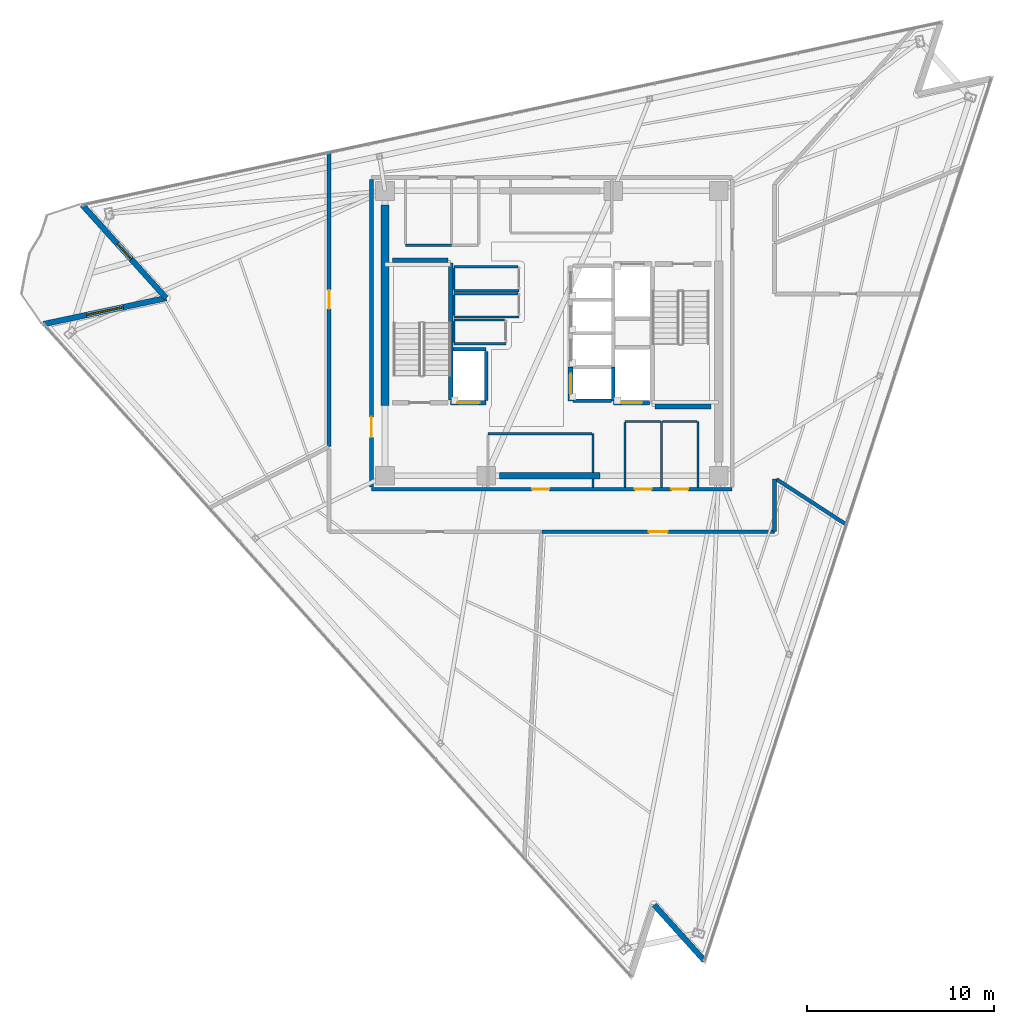
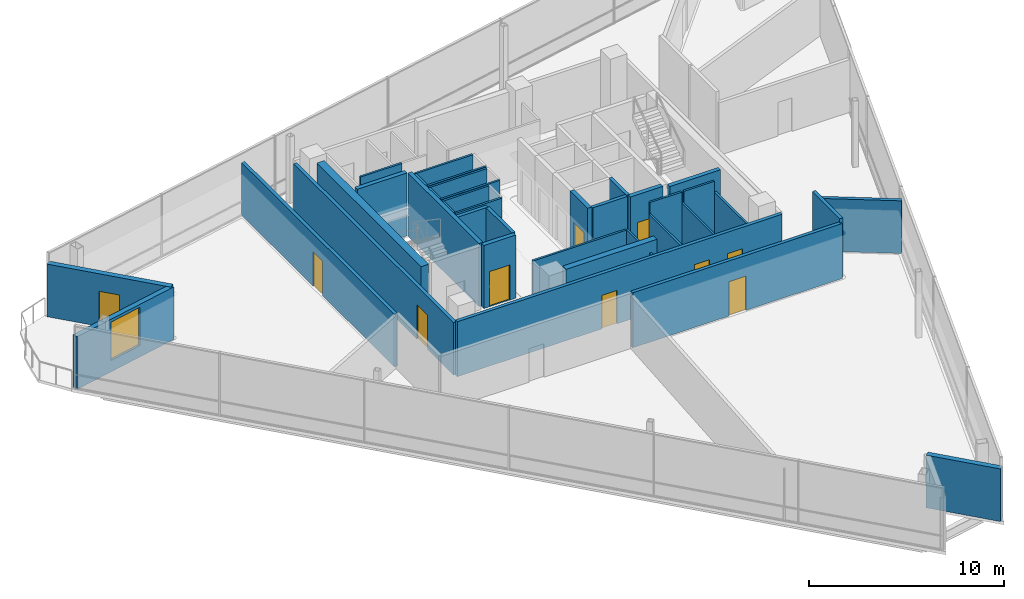
# One storey, part 11 of 17: 39 walls, 10 doors, 1 window, 11 openings.
"""IFC4 building model written with IfcOpenShell, lengths in metres."""

from ifc_helpers import new_model, si_unit, direction, frame, frame_2d, origin, place, context, subcontext, project, spatial, rectangle, extrude, material, layer, layer_set, type_object, element, fill, save


model = new_model("IFC4")

# Units and contexts
model_context = context("Model", 3, precision=1e-05, world=origin(), true_north=direction((0.0, 1.0)))
body_context = subcontext(model_context, "Body", "Model", "MODEL_VIEW")
ifc_project = project(units=[si_unit("LENGTHUNIT", "METRE"), si_unit("AREAUNIT", "SQUARE_METRE"), si_unit("VOLUMEUNIT", "CUBIC_METRE"), si_unit("PLANEANGLEUNIT", "RADIAN"), si_unit("MASSUNIT", "GRAM", prefix="KILO")], contexts=[model_context])

# Site, building, storey
site_placement = place(None, origin())
site = spatial("IfcSite", under=ifc_project, at=site_placement, CompositionType="ELEMENT")
building_placement = place(site_placement, origin())
building = spatial("IfcBuilding", under=site, at=building_placement, Name="Tharavind Bronze Gate", CompositionType="ELEMENT")
storey_placement = place(building_placement, frame((0.0, 0.0, 298.0)))
storey = spatial("IfcBuildingStorey", under=building, at=storey_placement, Name="L77", CompositionType="ELEMENT", Elevation=298.0)

# Wall, opening, door
ifc_material_1 = material(Name="Concrete C40/50", Category="concrete")
ifc_layer_1 = layer(ifc_material_1, 0.300048828125)
ifc_layer_set_1 = layer_set([ifc_layer_1], Name="Concrete C40/50")
wall_type_1 = type_object("IfcWallType", Name="EXTERIOR SPANDREL WALL 300", PredefinedType="STANDARD", material=ifc_layer_set_1)
wall_1_placement = place(storey_placement, frame((-25.041015625, 6.84814453125, 0.0), z_axis=(0.0, 0.0, 1.0), x_axis=(0.669132313306, -0.743143288532, 0.0)))
wall_1 = element("IfcWall", 1, at=wall_1_placement, inside=storey, type_object=wall_type_1, Name="L77 notch cheek wall 1A", PredefinedType="STANDARD", context=body_context, shape_type="SweptSolid", body=[
    extrude(rectangle(XDim=6.679931640625, YDim=0.300048828125, at=frame_2d((3.33984375, 0.0))), origin(), (0.0, 0.0, 1.0), 3.294921875),
])
opening_1_placement = place(wall_1_placement, frame((2.7900390625, 0.0, 0.0)))
opening_1 = element("IfcOpeningElement", 2, at=opening_1_placement, cuts=wall_1, Name="Opening ED04", PredefinedType="OPENING", context=body_context, shape_type="SweptSolid", body=[
    extrude(rectangle(XDim=1.10009765625, YDim=2.199951171875, at=frame_2d((0.550048828125, 1.10009765625))), frame((0.0, 0.15990234375, 0.0), z_axis=(0.0, -1.0, 0.0), x_axis=(1.0, 0.0, 0.0)), (0.0, 0.0, 1.0), 0.320048828125),
])
ifc_material_2 = material(Name="Bronze Aluminium & Toughened Glass", Category="aluminium")
door_type_1 = type_object("IfcDoorType", Name="TREE BALCONY ACCESS DOOR 1100X2200", OperationType="SINGLE_SWING_LEFT", PredefinedType="DOOR", material=ifc_material_2)
door_1_placement = place(opening_1_placement, frame((1.10009765625, 0.0, 0.0), z_axis=(0.0, 0.0, 1.0), x_axis=(-1.0, 0.0, 0.0)))
door_1 = element("IfcDoor", 3, at=door_1_placement, inside=storey, type_object=door_type_1, Name="L77 tree balcony access door", OperationType="SINGLE_SWING_LEFT", OverallHeight=2.199951171875, OverallWidth=1.10009765625, PredefinedType="DOOR", context=body_context, shape_type="SweptSolid", body=[
    extrude(rectangle(XDim=1.10009765625, YDim=2.199951171875, at=frame_2d((0.550048828125, 1.10009765625))), frame((0.0, 0.02490234375, 0.0), z_axis=(0.0, -1.0, 0.0), x_axis=(1.0, 0.0, 0.0)), (0.0, 0.0, 1.0), 0.050048828125),
])
fill(opening_1, door_1)

# Wall, opening, window
wall_2_placement = place(storey_placement, frame((-20.5712890625, 1.884033203125, 0.0), z_axis=(0.0, 0.0, 1.0), x_axis=(-0.978145008547, -0.207923885724, 0.0)))
wall_2 = element("IfcWall", 4, at=wall_2_placement, inside=storey, type_object=wall_type_1, Name="L77 notch cheek wall 1B", PredefinedType="STANDARD", context=body_context, shape_type="SweptSolid", body=[
    extrude(rectangle(XDim=6.679931640625, YDim=0.300048828125, at=frame_2d((3.33984375, 0.0))), origin(), (0.0, 0.0, 1.0), 3.294921875),
])
opening_2_placement = place(wall_2_placement, frame((2.340087890625, 0.0, 0.715087890625)))
opening_2 = element("IfcOpeningElement", 5, at=opening_2_placement, cuts=wall_2, Name="Opening W06", PredefinedType="OPENING", context=body_context, shape_type="SweptSolid", body=[
    extrude(rectangle(XDim=2.0, YDim=2.39990234375, at=frame_2d((1.0, 1.199951171875))), frame((0.0, 0.15990234375, 0.0), z_axis=(0.0, -1.0, 0.0), x_axis=(1.0, 0.0, 0.0)), (0.0, 0.0, 1.0), 0.320048828125),
])
ifc_material_3 = material(Name="Bronze Aluminium & Low-E Glass", Category="aluminium")
window_type = type_object("IfcWindowType", Name="CROWN OBSERVATORY WINDOW 2000X2400", PartitioningType="DOUBLE_PANEL_VERTICAL", PredefinedType="WINDOW", material=ifc_material_3)
window_placement = place(opening_2_placement, origin())
window = element("IfcWindow", 6, at=window_placement, inside=storey, type_object=window_type, Name="L77 exterior window WL-L77-NCB1-01", OverallHeight=2.39990234375, OverallWidth=2.0, PartitioningType="SINGLE_PANEL", PredefinedType="WINDOW", context=body_context, shape_type="SweptSolid", body=[
    extrude(rectangle(XDim=2.0, YDim=2.39990234375, at=frame_2d((1.0, 1.199951171875))), frame((0.0, 0.030029296875, 0.0), z_axis=(0.0, -1.0, 0.0), x_axis=(1.0, 0.0, 0.0)), (0.0, 0.0, 1.0), 0.06005859375),
])
fill(opening_2, window)

# Wall
wall_3_placement = place(storey_placement, frame((5.459228515625, -30.484130859375, 0.0), z_axis=(0.0, 0.0, 1.0), x_axis=(0.669132983361, -0.743142685208, 0.0)))
element("IfcWall", 7, at=wall_3_placement, inside=storey, type_object=wall_type_1, Name="L77 notch cheek wall 2B", PredefinedType="STANDARD", context=body_context, shape_type="SweptSolid", body=[
    extrude(rectangle(XDim=4.008056640625, YDim=0.300048828125, at=frame_2d((2.00390625, 0.0))), origin(), (0.0, 0.0, 1.0), 3.294921875),
])

# Wall, openings, doors
ifc_material_4 = material(Name="Aerated Concrete Block", Category="concrete")
ifc_layer_2 = layer(ifc_material_4, 0.199951171875)
ifc_layer_set_2 = layer_set([ifc_layer_2], Name="Aerated Concrete Block")
wall_type_2 = type_object("IfcWallType", Name="FIRE RATED PARTITION 200", PredefinedType="PARTITIONING", material=ifc_layer_set_2)
wall_4_placement = place(storey_placement, frame((-9.6201171875, -8.320068359375, 0.0), z_axis=(0.0, 0.0, 1.0), x_axis=(1.0, 0.0, 0.0)))
wall_4 = element("IfcWall", 8, at=wall_4_placement, inside=storey, type_object=wall_type_2, Name="L77 south core corridor wall", PredefinedType="PARTITIONING", context=body_context, shape_type="SweptSolid", body=[
    extrude(rectangle(XDim=19.240234375, YDim=0.199951171875, at=frame_2d((9.6201171875, 0.0))), origin(), (0.0, 0.0, 1.0), 3.445068359375),
])
opening_3_placement = place(wall_4_placement, frame((8.570068359375, 0.0, 0.0)))
opening_3 = element("IfcOpeningElement", 9, at=opening_3_placement, cuts=wall_4, Name="Opening ID07", PredefinedType="OPENING", context=body_context, shape_type="SweptSolid", body=[
    extrude(rectangle(XDim=0.89990234375, YDim=2.10009765625, at=frame_2d((0.449951171875, 1.050048828125))), frame((0.0, 0.11009765625, 0.0), z_axis=(0.0, -1.0, 0.0), x_axis=(1.0, 0.0, 0.0)), (0.0, 0.0, 1.0), 0.219951171875),
])
opening_4_placement = place(wall_4_placement, frame((14.044921875, 0.0, 0.0)))
opening_4 = element("IfcOpeningElement", 10, at=opening_4_placement, cuts=wall_4, Name="Opening ID07", PredefinedType="OPENING", context=body_context, shape_type="SweptSolid", body=[
    extrude(rectangle(XDim=0.89990234375, YDim=2.10009765625, at=frame_2d((0.449951171875, 1.050048828125))), frame((0.0, 0.11009765625, 0.0), z_axis=(0.0, -1.0, 0.0), x_axis=(1.0, 0.0, 0.0)), (0.0, 0.0, 1.0), 0.219951171875),
])
opening_5_placement = place(wall_4_placement, frame((15.9951171875, 0.0, 0.0)))
opening_5 = element("IfcOpeningElement", 11, at=opening_5_placement, cuts=wall_4, Name="Opening ID07", PredefinedType="OPENING", context=body_context, shape_type="SweptSolid", body=[
    extrude(rectangle(XDim=0.89990234375, YDim=2.10009765625, at=frame_2d((0.449951171875, 1.050048828125))), frame((0.0, 0.11009765625, 0.0), z_axis=(0.0, -1.0, 0.0), x_axis=(1.0, 0.0, 0.0)), (0.0, 0.0, 1.0), 0.219951171875),
])
ifc_material_5 = material(Name="Galvanised Fire Steel", Category="steel")
door_type_2 = type_object("IfcDoorType", Name="PLANT AND RISER FIRE DOOR 900X2100", OperationType="SINGLE_SWING_LEFT", PredefinedType="DOOR", material=ifc_material_5)
door_2_placement = place(opening_3_placement, origin())
door_2 = element("IfcDoor", 12, at=door_2_placement, inside=storey, type_object=door_type_2, Name="L77 Core BMS Control Room fire door", OperationType="SINGLE_SWING_LEFT", OverallHeight=2.10009765625, OverallWidth=0.89990234375, PredefinedType="DOOR", context=body_context, shape_type="SweptSolid", body=[
    extrude(rectangle(XDim=0.89990234375, YDim=2.10009765625, at=frame_2d((0.449951171875, 1.050048828125))), frame((0.0, 0.02490234375, 0.0), z_axis=(0.0, -1.0, 0.0), x_axis=(1.0, 0.0, 0.0)), (0.0, 0.0, 1.0), 0.050048828125),
])
fill(opening_3, door_2)
door_3_placement = place(opening_4_placement, origin())
door_3 = element("IfcDoor", 13, at=door_3_placement, inside=storey, type_object=door_type_2, Name="L77 Comms Patch Room fire door", OperationType="SINGLE_SWING_LEFT", OverallHeight=2.10009765625, OverallWidth=0.89990234375, PredefinedType="DOOR", context=body_context, shape_type="SweptSolid", body=[
    extrude(rectangle(XDim=0.89990234375, YDim=2.10009765625, at=frame_2d((0.449951171875, 1.050048828125))), frame((0.0, 0.02490234375, 0.0), z_axis=(0.0, -1.0, 0.0), x_axis=(1.0, 0.0, 0.0)), (0.0, 0.0, 1.0), 0.050048828125),
])
fill(opening_4, door_3)
door_4_placement = place(opening_5_placement, origin())
door_4 = element("IfcDoor", 14, at=door_4_placement, inside=storey, type_object=door_type_2, Name="L77 Housekeeping Store fire door", OperationType="SINGLE_SWING_LEFT", OverallHeight=2.10009765625, OverallWidth=0.89990234375, PredefinedType="DOOR", context=body_context, shape_type="SweptSolid", body=[
    extrude(rectangle(XDim=0.89990234375, YDim=2.10009765625, at=frame_2d((0.449951171875, 1.050048828125))), frame((0.0, 0.02490234375, 0.0), z_axis=(0.0, -1.0, 0.0), x_axis=(1.0, 0.0, 0.0)), (0.0, 0.0, 1.0), 0.050048828125),
])
fill(opening_5, door_4)

# Wall, opening, door
wall_5_placement = place(storey_placement, frame((-9.6201171875, 8.199951171875, 0.0), z_axis=(0.0, 0.0, 1.0), x_axis=(0.0, -1.0, 0.0)))
wall_5 = element("IfcWall", 15, at=wall_5_placement, inside=storey, type_object=wall_type_2, Name="L77 west core corridor wall", PredefinedType="PARTITIONING", context=body_context, shape_type="SweptSolid", body=[
    extrude(rectangle(XDim=16.39990234375, YDim=0.199951171875, at=frame_2d((8.199951171875, 0.0))), origin(), (0.0, 0.0, 1.0), 3.294921875),
])
opening_6_placement = place(wall_5_placement, frame((12.64990234375, 0.0, 0.0)))
opening_6 = element("IfcOpeningElement", 16, at=opening_6_placement, cuts=wall_5, Name="Opening ID01", PredefinedType="OPENING", context=body_context, shape_type="SweptSolid", body=[
    extrude(rectangle(XDim=1.10009765625, YDim=2.14990234375, at=frame_2d((0.550048828125, 1.074951171875))), frame((0.0, 0.11009765625, 0.0), z_axis=(0.0, -1.0, 0.0), x_axis=(1.0, 0.0, 0.0)), (0.0, 0.0, 1.0), 0.219951171875),
])
ifc_material_6 = material(Name="Fire-Rated Steel", Category="steel")
door_type_3 = type_object("IfcDoorType", Name="STAIR CORE FIRE DOOR 1100X2150", OperationType="SINGLE_SWING_LEFT", PredefinedType="DOOR", material=ifc_material_6)
door_5_placement = place(opening_6_placement, frame((1.10009765625, 0.0, 0.0), z_axis=(0.0, 0.0, 1.0), x_axis=(-1.0, 0.0, 0.0)))
door_5 = element("IfcDoor", 17, at=door_5_placement, inside=storey, type_object=door_type_3, Name="L77 south west stair lobby fire door", OperationType="SINGLE_SWING_LEFT", OverallHeight=2.14990234375, OverallWidth=1.10009765625, PredefinedType="DOOR", context=body_context, shape_type="SweptSolid", body=[
    extrude(rectangle(XDim=1.10009765625, YDim=2.14990234375, at=frame_2d((0.550048828125, 1.074951171875))), frame((0.0, 0.02490234375, 0.0), z_axis=(0.0, -1.0, 0.0), x_axis=(1.0, 0.0, 0.0)), (0.0, 0.0, 1.0), 0.050048828125),
])
fill(opening_6, door_5)

wall_6_placement = place(storey_placement, frame((-11.8798828125, 9.645751953125, 0.0), z_axis=(0.0, 0.0, 1.0), x_axis=(0.0, -1.0, 0.0)))
wall_6 = element("IfcWall", 18, at=wall_6_placement, inside=storey, type_object=wall_type_2, Name="L77 Curator Management Office partition", PredefinedType="PARTITIONING", context=body_context, shape_type="SweptSolid", body=[
    extrude(rectangle(XDim=15.68359375, YDim=0.199951171875, at=frame_2d((7.841796875, 0.0))), origin(), (0.0, 0.0, 1.0), 3.294921875),
])
opening_7_placement = place(wall_6_placement, frame((7.342041015625, 0.0, 0.0)))
opening_7 = element("IfcOpeningElement", 19, at=opening_7_placement, cuts=wall_6, Name="Opening ID04", PredefinedType="OPENING", context=body_context, shape_type="SweptSolid", body=[
    extrude(rectangle(XDim=1.0, YDim=2.14990234375, at=frame_2d((0.5, 1.074951171875))), frame((0.0, 0.11009765625, 0.0), z_axis=(0.0, -1.0, 0.0), x_axis=(1.0, 0.0, 0.0)), (0.0, 0.0, 1.0), 0.219951171875),
])
ifc_material_7 = material(Name="Bronze Framed Acoustic Timber", Category="wood")
door_type_4 = type_object("IfcDoorType", Name="OFFICE TENANCY DOOR 1000X2150", OperationType="SINGLE_SWING_RIGHT", PredefinedType="DOOR", material=ifc_material_7)
door_6_placement = place(opening_7_placement, origin())
door_6 = element("IfcDoor", 20, at=door_6_placement, inside=storey, type_object=door_type_4, Name="L77 Curator Management Office door", OperationType="SINGLE_SWING_RIGHT", OverallHeight=2.14990234375, OverallWidth=1.0, PredefinedType="DOOR", context=body_context, shape_type="SweptSolid", body=[
    extrude(rectangle(XDim=1.0, YDim=2.14990234375, at=frame_2d((0.5, 1.074951171875))), frame((0.0, 0.02490234375, 0.0), z_axis=(0.0, -1.0, 0.0), x_axis=(1.0, 0.0, 0.0)), (0.0, 0.0, 1.0), 0.050048828125),
])
fill(opening_7, door_6)

wall_7_placement = place(storey_placement, frame((-0.53076171875, -10.580078125, 0.0), z_axis=(0.0, 0.0, 1.0), x_axis=(1.0, 0.0, 0.0)))
wall_7 = element("IfcWall", 21, at=wall_7_placement, inside=storey, type_object=wall_type_2, Name="L77 Sky Sommelier Study partition", PredefinedType="PARTITIONING", context=body_context, shape_type="SweptSolid", body=[
    extrude(rectangle(XDim=12.41015625, YDim=0.199951171875, at=frame_2d((6.205078125, 0.0))), origin(), (0.0, 0.0, 1.0), 3.445068359375),
])
opening_8_placement = place(wall_7_placement, frame((5.705078125, 0.0, 0.0)))
opening_8 = element("IfcOpeningElement", 22, at=opening_8_placement, cuts=wall_7, Name="Opening ID04", PredefinedType="OPENING", context=body_context, shape_type="SweptSolid", body=[
    extrude(rectangle(XDim=1.0, YDim=2.14990234375, at=frame_2d((0.5, 1.074951171875))), frame((0.0, 0.11009765625, 0.0), z_axis=(0.0, -1.0, 0.0), x_axis=(1.0, 0.0, 0.0)), (0.0, 0.0, 1.0), 0.219951171875),
])
door_7_placement = place(opening_8_placement, origin())
door_7 = element("IfcDoor", 23, at=door_7_placement, inside=storey, type_object=door_type_4, Name="L77 Sky Sommelier Study door", OperationType="SINGLE_SWING_RIGHT", OverallHeight=2.14990234375, OverallWidth=1.0, PredefinedType="DOOR", context=body_context, shape_type="SweptSolid", body=[
    extrude(rectangle(XDim=1.0, YDim=2.14990234375, at=frame_2d((0.5, 1.074951171875))), frame((0.0, 0.02490234375, 0.0), z_axis=(0.0, -1.0, 0.0), x_axis=(1.0, 0.0, 0.0)), (0.0, 0.0, 1.0), 0.050048828125),
])
fill(opening_8, door_7)

# Walls
wall_8_placement = place(storey_placement, frame((11.8798828125, -10.579345703125, 0.0), z_axis=(0.0, 0.0, 1.0), x_axis=(0.0, 1.0, 0.0)))
element("IfcWall", 24, at=wall_8_placement, inside=storey, type_object=wall_type_2, Name="L77 Sky Sommelier Study partition", PredefinedType="PARTITIONING", context=body_context, shape_type="SweptSolid", body=[
    extrude(rectangle(XDim=2.818359375, YDim=0.199951171875, at=frame_2d((1.4091796875, 0.0))), origin(), (0.0, 0.0, 1.0), 3.705078125),
])
wall_9_placement = place(storey_placement, frame((11.985107421875, -7.783203125, 0.0), z_axis=(0.0, 0.0, 1.0), x_axis=(0.838673668882, -0.544634259962, 0.0)))
element("IfcWall", 25, at=wall_9_placement, inside=storey, type_object=wall_type_2, Name="L77 Sky Sommelier Study partition", PredefinedType="PARTITIONING", context=body_context, shape_type="SweptSolid", body=[
    extrude(rectangle(XDim=4.411376953125, YDim=0.199951171875, at=frame_2d((2.20556640625, 0.0))), origin(), (0.0, 0.0, 1.0), 3.294921875),
])
ifc_material_8 = material(Name="Metal Stud Gypsum Partition", Category="gypsum")
ifc_layer_3 = layer(ifc_material_8, 0.1201171875)
ifc_layer_set_3 = layer_set([ifc_layer_3], Name="Metal Stud Gypsum Partition")
wall_type_3 = type_object("IfcWallType", Name="INTERIOR PARTITION WALL 120", PredefinedType="PARTITIONING", material=ifc_layer_set_3)
wall_10_placement = place(storey_placement, frame((-5.219970703125, 2.280029296875, 0.0), z_axis=(0.0, 0.0, 1.0), x_axis=(1.0, 0.0, 0.0)))
element("IfcWall", 26, at=wall_10_placement, inside=storey, type_object=wall_type_3, Name="L77 Housekeeping Linen Store partition 1", PredefinedType="PARTITIONING", context=body_context, shape_type="SweptSolid", body=[
    extrude(rectangle(XDim=3.469970703125, YDim=0.1201171875, at=frame_2d((1.73486328125, 0.0))), origin(), (0.0, 0.0, 1.0), 3.949951171875),
])
wall_11_placement = place(storey_placement, frame((-1.81494140625, 3.550048828125, 0.0), z_axis=(0.0, 0.0, 1.0), x_axis=(-1.0, 0.0, 0.0)))
element("IfcWall", 27, at=wall_11_placement, inside=storey, type_object=wall_type_3, Name="L77 Housekeeping Linen Store partition 3", PredefinedType="PARTITIONING", context=body_context, shape_type="SweptSolid", body=[
    extrude(rectangle(XDim=3.405029296875, YDim=0.1201171875, at=frame_2d((1.70263671875, 0.0))), origin(), (0.0, 0.0, 1.0), 3.949951171875),
])
wall_12_placement = place(storey_placement, frame((-5.219970703125, 3.485107421875, 0.0), z_axis=(0.0, 0.0, 1.0), x_axis=(0.0, -1.0, 0.0)))
element("IfcWall", 28, at=wall_12_placement, inside=storey, type_object=wall_type_3, Name="L77 Housekeeping Linen Store partition 4", PredefinedType="PARTITIONING", context=body_context, shape_type="SweptSolid", body=[
    extrude(rectangle(XDim=1.14013671875, YDim=0.1201171875, at=frame_2d((0.570068359375, 0.0))), origin(), (0.0, 0.0, 1.0), 3.949951171875),
])
wall_13_placement = place(storey_placement, frame((-5.219970703125, 0.8798828125, 0.0), z_axis=(0.0, 0.0, 1.0), x_axis=(1.0, 0.0, 0.0)))
element("IfcWall", 29, at=wall_13_placement, inside=storey, type_object=wall_type_3, Name="L77 Comms Data Room partition 1", PredefinedType="PARTITIONING", context=body_context, shape_type="SweptSolid", body=[
    extrude(rectangle(XDim=3.469970703125, YDim=0.1201171875, at=frame_2d((1.73486328125, 0.0))), origin(), (0.0, 0.0, 1.0), 3.949951171875),
])
wall_14_placement = place(storey_placement, frame((-1.81494140625, 2.1201171875, 0.0), z_axis=(0.0, 0.0, 1.0), x_axis=(-1.0, 0.0, 0.0)))
element("IfcWall", 30, at=wall_14_placement, inside=storey, type_object=wall_type_3, Name="L77 Comms Data Room partition 3", PredefinedType="PARTITIONING", context=body_context, shape_type="SweptSolid", body=[
    extrude(rectangle(XDim=3.405029296875, YDim=0.1201171875, at=frame_2d((1.70263671875, 0.0))), origin(), (0.0, 0.0, 1.0), 3.949951171875),
])
wall_15_placement = place(storey_placement, frame((-5.219970703125, 2.054931640625, 0.0), z_axis=(0.0, 0.0, 1.0), x_axis=(0.0, -1.0, 0.0)))
element("IfcWall", 31, at=wall_15_placement, inside=storey, type_object=wall_type_3, Name="L77 Comms Data Room partition 4", PredefinedType="PARTITIONING", context=body_context, shape_type="SweptSolid", body=[
    extrude(rectangle(XDim=1.10986328125, YDim=0.1201171875, at=frame_2d((0.554931640625, 0.0))), origin(), (0.0, 0.0, 1.0), 3.949951171875),
])
wall_16_placement = place(storey_placement, frame((-5.219970703125, -0.550048828125, 0.0), z_axis=(0.0, 0.0, 1.0), x_axis=(1.0, 0.0, 0.0)))
element("IfcWall", 32, at=wall_16_placement, inside=storey, type_object=wall_type_3, Name="L77 Electrical Metering Store partition 1", PredefinedType="PARTITIONING", context=body_context, shape_type="SweptSolid", body=[
    extrude(rectangle(XDim=2.77001953125, YDim=0.1201171875, at=frame_2d((1.385009765625, 0.0))), origin(), (0.0, 0.0, 1.0), 3.949951171875),
])
wall_17_placement = place(storey_placement, frame((-2.514892578125, 0.719970703125, 0.0), z_axis=(0.0, 0.0, 1.0), x_axis=(-1.0, 0.0, 0.0)))
element("IfcWall", 33, at=wall_17_placement, inside=storey, type_object=wall_type_3, Name="L77 Electrical Metering Store partition 3", PredefinedType="PARTITIONING", context=body_context, shape_type="SweptSolid", body=[
    extrude(rectangle(XDim=2.705078125, YDim=0.1201171875, at=frame_2d((1.3525390625, 0.0))), origin(), (0.0, 0.0, 1.0), 3.949951171875),
])
wall_18_placement = place(storey_placement, frame((-5.219970703125, 0.655029296875, 0.0), z_axis=(0.0, 0.0, 1.0), x_axis=(0.0, -1.0, 0.0)))
element("IfcWall", 34, at=wall_18_placement, inside=storey, type_object=wall_type_3, Name="L77 Electrical Metering Store partition 4", PredefinedType="PARTITIONING", context=body_context, shape_type="SweptSolid", body=[
    extrude(rectangle(XDim=1.14013671875, YDim=0.1201171875, at=frame_2d((0.570068359375, 0.0))), origin(), (0.0, 0.0, 1.0), 3.949951171875),
])
wall_19_placement = place(storey_placement, frame((2.199951171875, -8.215087890625, 0.0), z_axis=(0.0, 0.0, 1.0), x_axis=(0.0, 1.0, 0.0)))
element("IfcWall", 35, at=wall_19_placement, inside=storey, type_object=wall_type_3, Name="L77 Core BMS Control Room partition 2", PredefinedType="PARTITIONING", context=body_context, shape_type="SweptSolid", body=[
    extrude(rectangle(XDim=0.43505859375, YDim=0.1201171875, at=frame_2d((0.217529296875, 0.0))), origin(), (0.0, 0.0, 1.0), 3.2451171875),
])
wall_20_placement = place(storey_placement, frame((2.199951171875, -7.419921875, 0.0), z_axis=(0.0, 0.0, 1.0), x_axis=(0.0, 1.0, 0.0)))
element("IfcWall", 36, at=wall_20_placement, inside=storey, type_object=wall_type_3, Name="L77 Core BMS Control Room partition 2", PredefinedType="PARTITIONING", context=body_context, shape_type="SweptSolid", body=[
    extrude(rectangle(XDim=2.06982421875, YDim=0.1201171875, at=frame_2d((1.034912109375, 0.0))), origin(), (0.0, 0.0, 1.0), 3.2451171875),
])
wall_21_placement = place(storey_placement, frame((2.135009765625, -5.35009765625, 0.0), z_axis=(0.0, 0.0, 1.0), x_axis=(-1.0, 0.0, 0.0)))
element("IfcWall", 37, at=wall_21_placement, inside=storey, type_object=wall_type_3, Name="L77 Core BMS Control Room partition 3", PredefinedType="PARTITIONING", context=body_context, shape_type="SweptSolid", body=[
    extrude(rectangle(XDim=5.534912109375, YDim=0.1201171875, at=frame_2d((2.767578125, 0.0))), origin(), (0.0, 0.0, 1.0), 3.2451171875),
])
wall_22_placement = place(storey_placement, frame((-7.800048828125, 4.699951171875, 0.0), z_axis=(0.0, 0.0, 1.0), x_axis=(1.0, 0.0, 0.0)))
element("IfcWall", 38, at=wall_22_placement, inside=storey, type_object=wall_type_3, Name="L77 Electrical Metering Room partition 1", PredefinedType="PARTITIONING", context=body_context, shape_type="SweptSolid", body=[
    extrude(rectangle(XDim=2.449951171875, YDim=0.1201171875, at=frame_2d((1.22509765625, 0.0))), origin(), (0.0, 0.0, 1.0), 3.949951171875),
])
wall_23_placement = place(storey_placement, frame((5.85009765625, -8.215087890625, 0.0), z_axis=(0.0, 0.0, 1.0), x_axis=(0.0, 1.0, 0.0)))
element("IfcWall", 39, at=wall_23_placement, inside=storey, type_object=wall_type_3, Name="L77 Comms Patch Room partition 2", PredefinedType="PARTITIONING", context=body_context, shape_type="SweptSolid", body=[
    extrude(rectangle(XDim=3.51513671875, YDim=0.1201171875, at=frame_2d((1.757568359375, 0.0))), origin(), (0.0, 0.0, 1.0), 3.2451171875),
])
wall_24_placement = place(storey_placement, frame((5.784912109375, -4.699951171875, 0.0), z_axis=(0.0, 0.0, 1.0), x_axis=(-1.0, 0.0, 0.0)))
element("IfcWall", 40, at=wall_24_placement, inside=storey, type_object=wall_type_3, Name="L77 Comms Patch Room partition 3", PredefinedType="PARTITIONING", context=body_context, shape_type="SweptSolid", body=[
    extrude(rectangle(XDim=1.885009765625, YDim=0.1201171875, at=frame_2d((0.9423828125, 0.0))), origin(), (0.0, 0.0, 1.0), 3.949951171875),
])
wall_25_placement = place(storey_placement, frame((3.89990234375, -4.764892578125, 0.0), z_axis=(0.0, 0.0, 1.0), x_axis=(0.0, -1.0, 0.0)))
element("IfcWall", 41, at=wall_25_placement, inside=storey, type_object=wall_type_3, Name="L77 Comms Patch Room partition 4", PredefinedType="PARTITIONING", context=body_context, shape_type="SweptSolid", body=[
    extrude(rectangle(XDim=3.4501953125, YDim=0.1201171875, at=frame_2d((1.72509765625, 0.0))), origin(), (0.0, 0.0, 1.0), 3.2451171875),
])
wall_26_placement = place(storey_placement, frame((7.800048828125, -8.215087890625, 0.0), z_axis=(0.0, 0.0, 1.0), x_axis=(0.0, 1.0, 0.0)))
element("IfcWall", 42, at=wall_26_placement, inside=storey, type_object=wall_type_3, Name="L77 Housekeeping Store partition 2", PredefinedType="PARTITIONING", context=body_context, shape_type="SweptSolid", body=[
    extrude(rectangle(XDim=3.51513671875, YDim=0.1201171875, at=frame_2d((1.757568359375, 0.0))), origin(), (0.0, 0.0, 1.0), 3.2451171875),
])
wall_27_placement = place(storey_placement, frame((7.735107421875, -4.699951171875, 0.0), z_axis=(0.0, 0.0, 1.0), x_axis=(-1.0, 0.0, 0.0)))
element("IfcWall", 43, at=wall_27_placement, inside=storey, type_object=wall_type_3, Name="L77 Housekeeping Store partition 3", PredefinedType="PARTITIONING", context=body_context, shape_type="SweptSolid", body=[
    extrude(rectangle(XDim=1.820068359375, YDim=0.1201171875, at=frame_2d((0.91015625, 0.0))), origin(), (0.0, 0.0, 1.0), 3.949951171875),
])
ifc_material_9 = material(Name="Concrete C50/60", Category="concrete")
ifc_layer_4 = layer(ifc_material_9, 0.25)
ifc_layer_set_4 = layer_set([ifc_layer_4], Name="Concrete C50/60")
wall_type_4 = type_object("IfcWallType", Name="RC CORE SHEAR WALL 250", PredefinedType="SHEAR", material=ifc_layer_set_4)
wall_28_placement = place(storey_placement, frame((-5.39990234375, -3.550048828125, 0.0), z_axis=(0.0, 0.0, 1.0), x_axis=(0.0, 1.0, 0.0)))
element("IfcWall", 44, at=wall_28_placement, inside=storey, type_object=wall_type_4, Name="L77 ST1 shaft east wall", PredefinedType="SHEAR", context=body_context, shape_type="SweptSolid", body=[
    extrude(rectangle(XDim=7.300048828125, YDim=0.25, at=frame_2d((3.64990234375, 0.0))), origin(), (0.0, 0.0, 1.0), 3.949951171875),
])
wall_29_placement = place(storey_placement, frame((-8.5, 3.89990234375, 0.0), z_axis=(0.0, 0.0, 1.0), x_axis=(1.0, 0.0, 0.0)))
element("IfcWall", 45, at=wall_29_placement, inside=storey, type_object=wall_type_4, Name="L77 ST1 shaft north wall", PredefinedType="SHEAR", context=body_context, shape_type="SweptSolid", body=[
    extrude(rectangle(XDim=2.949951171875, YDim=0.25, at=frame_2d((1.47509765625, 0.0))), origin(), (0.0, 0.0, 1.0), 3.949951171875),
])
wall_30_placement = place(storey_placement, frame((5.5, -3.89990234375, 0.0), z_axis=(0.0, 0.0, 1.0), x_axis=(1.0, 0.0, 0.0)))
element("IfcWall", 46, at=wall_30_placement, inside=storey, type_object=wall_type_4, Name="L77 ST2 shaft south wall", PredefinedType="SHEAR", context=body_context, shape_type="SweptSolid", body=[
    extrude(rectangle(XDim=3.0, YDim=0.25, at=frame_2d((1.5, 0.0))), origin(), (0.0, 0.0, 1.0), 3.949951171875),
])

# Wall, opening, door
wall_31_placement = place(storey_placement, frame((1.0, -3.60009765625, 0.0), z_axis=(0.0, 0.0, 1.0), x_axis=(0.0, 1.0, 0.0)))
wall_31 = element("IfcWall", 47, at=wall_31_placement, inside=storey, type_object=wall_type_4, Name="L77 lift PL9 shaft front wall", PredefinedType="SHEAR", context=body_context, shape_type="SweptSolid", body=[
    extrude(rectangle(XDim=1.800048828125, YDim=0.25, at=frame_2d((0.89990234375, 0.0))), origin(), (0.0, 0.0, 1.0), 3.949951171875),
])
opening_9_placement = place(wall_31_placement, frame((0.35009765625, 0.0, 0.0)))
opening_9 = element("IfcOpeningElement", 48, at=opening_9_placement, cuts=wall_31, Name="Opening LD01", PredefinedType="OPENING", context=body_context, shape_type="SweptSolid", body=[
    extrude(rectangle(XDim=1.10009765625, YDim=2.199951171875, at=frame_2d((0.550048828125, 1.10009765625))), frame((0.0, 0.135, 0.0), z_axis=(0.0, -1.0, 0.0), x_axis=(1.0, 0.0, 0.0)), (0.0, 0.0, 1.0), 0.27),
])
ifc_material_10 = material(Name="Brushed Bronze Stainless Steel", Category="steel")
door_type_5 = type_object("IfcDoorType", Name="LIFT LANDING SLIDING DOOR 1100X2200", OperationType="SLIDING_TO_LEFT", PredefinedType="DOOR", material=ifc_material_10)
door_8_placement = place(opening_9_placement, origin())
door_8 = element("IfcDoor", 49, at=door_8_placement, inside=storey, type_object=door_type_5, Name="L77 lift PL9 sliding landing door", OperationType="SLIDING_TO_LEFT", OverallHeight=2.199951171875, OverallWidth=1.10009765625, PredefinedType="DOOR", context=body_context, shape_type="SweptSolid", body=[
    extrude(rectangle(XDim=1.10009765625, YDim=2.199951171875, at=frame_2d((0.550048828125, 1.10009765625))), frame((0.0, 0.02490234375, 0.0), z_axis=(0.0, -1.0, 0.0), x_axis=(1.0, 0.0, 0.0)), (0.0, 0.0, 1.0), 0.050048828125),
])
fill(opening_9, door_8)

wall_32_placement = place(storey_placement, frame((-5.39990234375, -3.699951171875, 0.0), z_axis=(0.0, 0.0, 1.0), x_axis=(1.0, 0.0, 0.0)))
wall_32 = element("IfcWall", 50, at=wall_32_placement, inside=storey, type_object=wall_type_4, Name="L77 lift FFL1 shaft front wall", PredefinedType="SHEAR", context=body_context, shape_type="SweptSolid", body=[
    extrude(rectangle(XDim=1.89990234375, YDim=0.25, at=frame_2d((0.949951171875, 0.0))), origin(), (0.0, 0.0, 1.0), 3.949951171875),
])
opening_10_placement = place(wall_32_placement, frame((0.35009765625, 0.0, 0.0)))
opening_10 = element("IfcOpeningElement", 51, at=opening_10_placement, cuts=wall_32, Name="Opening LD02", PredefinedType="OPENING", context=body_context, shape_type="SweptSolid", body=[
    extrude(rectangle(XDim=1.199951171875, YDim=2.199951171875, at=frame_2d((0.60009765625, 1.10009765625))), frame((0.0, 0.135, 0.0), z_axis=(0.0, -1.0, 0.0), x_axis=(1.0, 0.0, 0.0)), (0.0, 0.0, 1.0), 0.27),
])
ifc_material_11 = material(Name="Brushed Stainless Steel", Category="steel")
door_type_6 = type_object("IfcDoorType", Name="FIREFIGHTING LIFT LANDING DOOR 1200X2200", OperationType="SLIDING_TO_RIGHT", PredefinedType="DOOR", material=ifc_material_11)
door_9_placement = place(opening_10_placement, origin())
door_9 = element("IfcDoor", 52, at=door_9_placement, inside=storey, type_object=door_type_6, Name="L77 lift FFL1 sliding landing door", OperationType="SLIDING_TO_RIGHT", OverallHeight=2.199951171875, OverallWidth=1.199951171875, PredefinedType="DOOR", context=body_context, shape_type="SweptSolid", body=[
    extrude(rectangle(XDim=1.199951171875, YDim=2.199951171875, at=frame_2d((0.60009765625, 1.10009765625))), frame((0.0, 0.02490234375, 0.0), z_axis=(0.0, -1.0, 0.0), x_axis=(1.0, 0.0, 0.0)), (0.0, 0.0, 1.0), 0.050048828125),
])
fill(opening_10, door_9)

wall_33_placement = place(storey_placement, frame((3.280029296875, -3.699951171875, 0.0), z_axis=(0.0, 0.0, 1.0), x_axis=(1.0, 0.0, 0.0)))
wall_33 = element("IfcWall", 53, at=wall_33_placement, inside=storey, type_object=wall_type_4, Name="L77 lift SVL1 shaft front wall", PredefinedType="SHEAR", context=body_context, shape_type="SweptSolid", body=[
    extrude(rectangle(XDim=1.93994140625, YDim=0.25, at=frame_2d((0.969970703125, 0.0))), origin(), (0.0, 0.0, 1.0), 3.949951171875),
])
opening_11_placement = place(wall_33_placement, frame((0.419921875, 0.0, 0.0)))
opening_11 = element("IfcOpeningElement", 54, at=opening_11_placement, cuts=wall_33, Name="Opening LD01", PredefinedType="OPENING", context=body_context, shape_type="SweptSolid", body=[
    extrude(rectangle(XDim=1.10009765625, YDim=2.199951171875, at=frame_2d((0.550048828125, 1.10009765625))), frame((0.0, 0.135, 0.0), z_axis=(0.0, -1.0, 0.0), x_axis=(1.0, 0.0, 0.0)), (0.0, 0.0, 1.0), 0.27),
])
door_10_placement = place(opening_11_placement, origin())
door_10 = element("IfcDoor", 55, at=door_10_placement, inside=storey, type_object=door_type_5, Name="L77 lift SVL1 sliding landing door", OperationType="SLIDING_TO_LEFT", OverallHeight=2.199951171875, OverallWidth=1.10009765625, PredefinedType="DOOR", context=body_context, shape_type="SweptSolid", body=[
    extrude(rectangle(XDim=1.10009765625, YDim=2.199951171875, at=frame_2d((0.550048828125, 1.10009765625))), frame((0.0, 0.02490234375, 0.0), z_axis=(0.0, -1.0, 0.0), x_axis=(1.0, 0.0, 0.0)), (0.0, 0.0, 1.0), 0.050048828125),
])
fill(opening_11, door_10)

# Walls
ifc_layer_5 = layer(ifc_material_9, 0.35009765625)
ifc_layer_set_5 = layer_set([ifc_layer_5], Name="Concrete C50/60")
wall_type_5 = type_object("IfcWallType", Name="RC CORE SHEAR WALL 350", PredefinedType="SHEAR", material=ifc_layer_set_5)
wall_34_placement = place(storey_placement, frame((-2.800048828125, -7.60009765625, 0.0), z_axis=(0.0, 0.0, 1.0), x_axis=(1.0, 0.0, 0.0)))
element("IfcWall", 56, at=wall_34_placement, inside=storey, type_object=wall_type_5, Name="L77 south core shear wall", PredefinedType="SHEAR", context=body_context, shape_type="SweptSolid", body=[
    extrude(rectangle(XDim=5.380126953125, YDim=0.35009765625, at=frame_2d((2.68994140625, 0.0))), origin(), (0.0, 0.0, 1.0), 3.949951171875),
])
ifc_material_12 = material(Name="Concrete C60/75", Category="concrete")
ifc_layer_6 = layer(ifc_material_12, 0.449951171875)
ifc_layer_set_6 = layer_set([ifc_layer_6], Name="Concrete C60/75")
wall_type_6 = type_object("IfcWallType", Name="RC CORE SHEAR WALL 450", PredefinedType="SHEAR", material=ifc_layer_set_6)
wall_35_placement = place(storey_placement, frame((-8.89990234375, -3.85009765625, 0.0), z_axis=(0.0, 0.0, 1.0), x_axis=(0.0, 1.0, 0.0)))
element("IfcWall", 57, at=wall_35_placement, inside=storey, type_object=wall_type_6, Name="L77 west core shear wall", PredefinedType="SHEAR", context=body_context, shape_type="SweptSolid", body=[
    extrude(rectangle(XDim=10.7001953125, YDim=0.449951171875, at=frame_2d((5.35009765625, 0.0))), origin(), (0.0, 0.0, 1.0), 3.949951171875),
])
ifc_layer_7 = layer(ifc_material_1, 0.199951171875)
ifc_layer_set_7 = layer_set([ifc_layer_7], Name="Concrete C40/50")
wall_type_7 = type_object("IfcWallType", Name="SHAFT ENCLOSURE WALL 200", PredefinedType="PARTITIONING", material=ifc_layer_set_7)
wall_36_placement = place(storey_placement, frame((3.280029296875, -3.60009765625, 0.0), z_axis=(0.0, 0.0, 1.0), x_axis=(0.0, 1.0, 0.0)))
element("IfcWall", 58, at=wall_36_placement, inside=storey, type_object=wall_type_7, Name="L77 lift PL9 shaft E enclosure wall", PredefinedType="PARTITIONING", context=body_context, shape_type="SweptSolid", body=[
    extrude(rectangle(XDim=1.800048828125, YDim=0.199951171875, at=frame_2d((0.89990234375, 0.0))), origin(), (0.0, 0.0, 1.0), 3.949951171875),
])
wall_37_placement = place(storey_placement, frame((1.1298828125, -3.60009765625, 0.0), z_axis=(0.0, 0.0, 1.0), x_axis=(1.0, 0.0, 0.0)))
element("IfcWall", 59, at=wall_37_placement, inside=storey, type_object=wall_type_7, Name="L77 lift PL9 shaft S enclosure wall", PredefinedType="PARTITIONING", context=body_context, shape_type="SweptSolid", body=[
    extrude(rectangle(XDim=2.045166015625, YDim=0.199951171875, at=frame_2d((1.0224609375, 0.0))), origin(), (0.0, 0.0, 1.0), 3.949951171875),
])
wall_38_placement = place(storey_placement, frame((-5.27001953125, -0.85009765625, 0.0), z_axis=(0.0, 0.0, 1.0), x_axis=(1.0, 0.0, 0.0)))
element("IfcWall", 60, at=wall_38_placement, inside=storey, type_object=wall_type_7, Name="L77 lift FFL1 shaft N enclosure wall", PredefinedType="PARTITIONING", context=body_context, shape_type="SweptSolid", body=[
    extrude(rectangle(XDim=1.77001953125, YDim=0.199951171875, at=frame_2d((0.885009765625, 0.0))), origin(), (0.0, 0.0, 1.0), 3.949951171875),
])
wall_39_placement = place(storey_placement, frame((-3.5, -3.570068359375, 0.0), z_axis=(0.0, 0.0, 1.0), x_axis=(0.0, 1.0, 0.0)))
element("IfcWall", 61, at=wall_39_placement, inside=storey, type_object=wall_type_7, Name="L77 lift FFL1 shaft E enclosure wall", PredefinedType="PARTITIONING", context=body_context, shape_type="SweptSolid", body=[
    extrude(rectangle(XDim=2.614990234375, YDim=0.199951171875, at=frame_2d((1.3076171875, 0.0))), origin(), (0.0, 0.0, 1.0), 3.949951171875),
])

save(model, "model.ifc")
